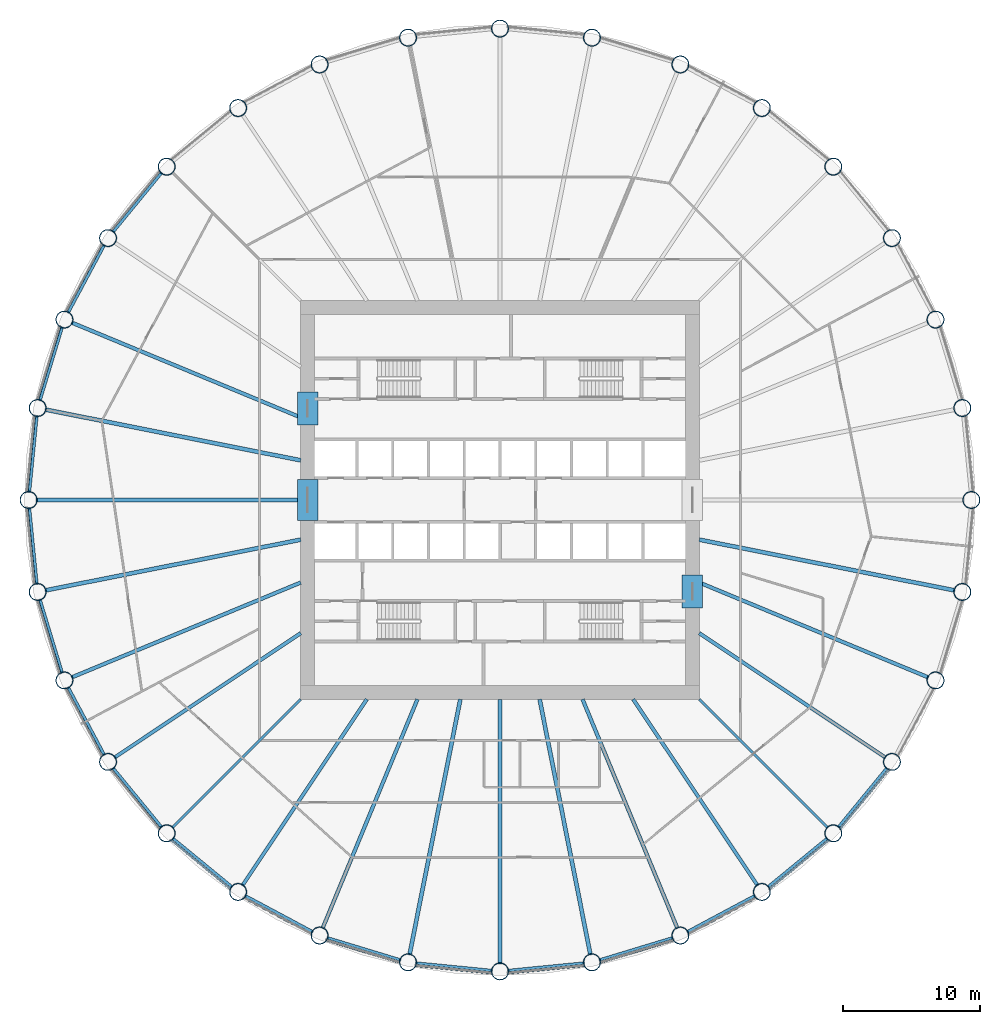
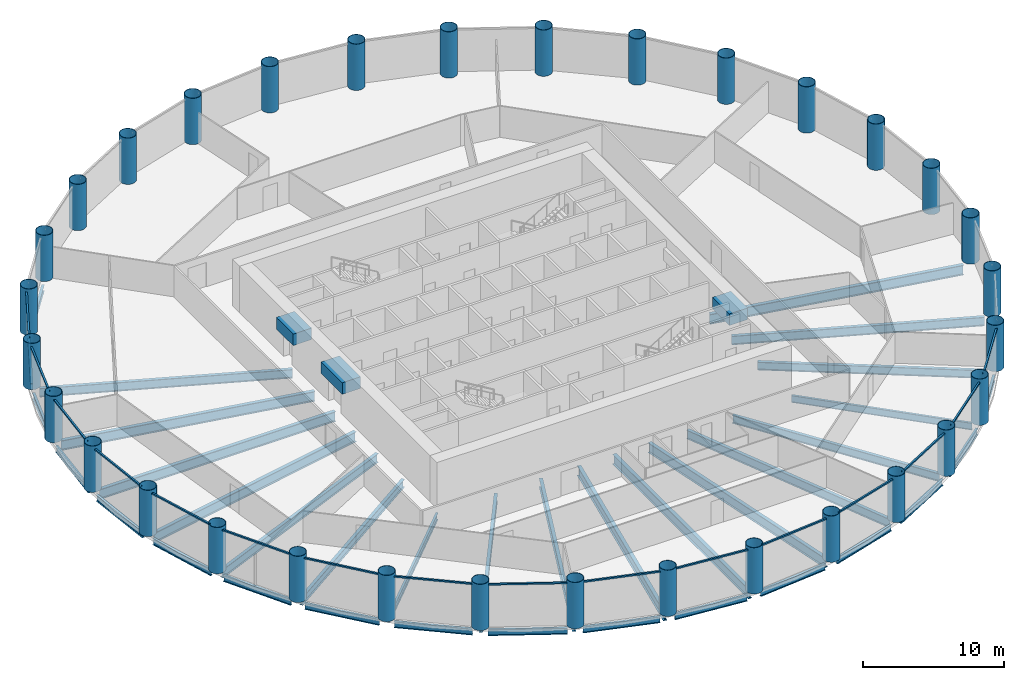
# One storey, part 1 of 8: 38 beams, 32 columns, 16 members, 16 elements without a shape of their own.
"""IFC4 building model written with IfcOpenShell, lengths in metres."""

from ifc_helpers import new_model, si_unit, direction, frame, origin, origin_2d, place, context, subcontext, project, spatial, rectangle, hollow_circle, i_section, extrude, material, material_profile, profile_set, type_object, element, aggregate, save


model = new_model("IFC4")

# Units and contexts
model_context = context("Model", 3, precision=1e-05, world=origin(), true_north=direction((0.0, 1.0)))
body_context = subcontext(model_context, "Body", "Model", "MODEL_VIEW")
ifc_project = project(units=[si_unit("LENGTHUNIT", "METRE"), si_unit("AREAUNIT", "SQUARE_METRE"), si_unit("VOLUMEUNIT", "CUBIC_METRE"), si_unit("PLANEANGLEUNIT", "RADIAN"), si_unit("MASSUNIT", "GRAM", prefix="KILO")], contexts=[model_context])

# Site, building, storey
site_placement = place(None, origin())
site = spatial("IfcSite", under=ifc_project, at=site_placement, CompositionType="ELEMENT")
building_placement = place(site_placement, origin())
building = spatial("IfcBuilding", under=site, at=building_placement, Name="Corvane Civic Tower", CompositionType="ELEMENT")
storey_placement = place(building_placement, frame((0.0, 0.0, 110.5)))
storey = spatial("IfcBuildingStorey", under=building, at=storey_placement, Name="L25", CompositionType="ELEMENT", Elevation=110.5)

# Columns
ifc_material_1 = material(Name="Steel ASTM A572 Gr 50", Category="steel")
ifc_material_profile_1 = material_profile(ifc_material_1, hollow_circle(Radius=0.625, WallThickness=0.035888671875, at=origin_2d()), Name="CHS1250X36")
ifc_profile_set_1 = profile_set([ifc_material_profile_1], Name="Steel ASTM A572 Gr 50")
column_type = type_object("IfcColumnType", Name="COMPOSITE COLUMN CHS1250X36", PredefinedType="COLUMN", material=ifc_profile_set_1)
for number, where, z_axis, x_axis, name in (
    (1, (0.0, 34.300048828125, 0.0), (0.0, 0.0, 1.0), (1.0, 0.0, 0.0), "COL-L25-B01"),
    (2, (6.691650390625, 33.640869140625, 0.0), (0.0, 0.0, 1.0), (1.0, 0.0, 0.0), "COL-L25-B02"),
    (3, (13.1259765625, 31.68896484375, 0.0), (0.0, 0.0, 1.0), (1.0, 0.0, 0.0), "COL-L25-B03"),
    (4, (19.05615234375, 28.519287109375, 0.0), (0.0, 0.0, 1.0), (1.0, 0.0, 0.0), "COL-L25-B04"),
    (5, (24.253662109375, 24.253662109375, 0.0), (0.0, 0.0, 1.0), (1.0, 0.0, 0.0), "COL-L25-B05"),
    (6, (28.519287109375, 19.05615234375, 0.0), (0.0, 0.0, 1.0), (1.0, 0.0, 0.0), "COL-L25-B06"),
    (7, (31.68896484375, 13.1259765625, 0.0), (0.0, 0.0, 1.0), (1.0, 0.0, 0.0), "COL-L25-B07"),
    (8, (33.640869140625, 6.691650390625, 0.0), (0.0, 0.0, 1.0), (1.0, 0.0, 0.0), "COL-L25-B08"),
    (9, (34.300048828125, 0.0, 0.0), (0.0, 0.0, 1.0), (1.0, 0.0, 0.0), "COL-L25-B09"),
    (10, (33.640869140625, -6.691650390625, 0.0), (0.0, 0.0, 1.0), (1.0, 0.0, 0.0), "COL-L25-B10"),
    (11, (31.68896484375, -13.1259765625, 0.0), (0.0, 0.0, 1.0), (1.0, 0.0, 0.0), "COL-L25-B11"),
    (12, (28.519287109375, -19.05615234375, 0.0), (0.0, 0.0, 1.0), (1.0, 0.0, 0.0), "COL-L25-B12"),
    (13, (24.253662109375, -24.253662109375, 0.0), (0.0, 0.0, 1.0), (1.0, 0.0, 0.0), "COL-L25-B13"),
    (14, (19.05615234375, -28.519287109375, 0.0), (0.0, 0.0, 1.0), (1.0, 0.0, 0.0), "COL-L25-B14"),
    (15, (13.1259765625, -31.68896484375, 0.0), (0.0, 0.0, 1.0), (1.0, 0.0, 0.0), "COL-L25-B15"),
    (16, (6.691650390625, -33.640869140625, 0.0), (0.0, 0.0, 1.0), (1.0, 0.0, 0.0), "COL-L25-B16"),
    (17, (0.0, -34.300048828125, 0.0), (0.0, 0.0, 1.0), (1.0, 0.0, 0.0), "COL-L25-B17"),
    (18, (-6.691650390625, -33.640869140625, 0.0), (0.0, 0.0, 1.0), (1.0, 0.0, 0.0), "COL-L25-B18"),
    (19, (-13.1259765625, -31.68896484375, 0.0), (0.0, 0.0, 1.0), (1.0, 0.0, 0.0), "COL-L25-B19"),
    (20, (-19.05615234375, -28.519287109375, 0.0), (0.0, 0.0, 1.0), (1.0, 0.0, 0.0), "COL-L25-B20"),
    (21, (-24.253662109375, -24.253662109375, 0.0), (0.0, 0.0, 1.0), (1.0, 0.0, 0.0), "COL-L25-B21"),
    (22, (-28.519287109375, -19.05615234375, 0.0), (0.0, 0.0, 1.0), (1.0, 0.0, 0.0), "COL-L25-B22"),
    (23, (-31.68896484375, -13.1259765625, 0.0), (0.0, 0.0, 1.0), (1.0, 0.0, 0.0), "COL-L25-B23"),
    (24, (-33.640869140625, -6.691650390625, 0.0), (0.0, 0.0, 1.0), (1.0, 0.0, 0.0), "COL-L25-B24"),
    (25, (-34.300048828125, 0.0, 0.0), (0.0, 0.0, 1.0), (1.0, 0.0, 0.0), "COL-L25-B25"),
    (26, (-33.640869140625, 6.691650390625, 0.0), (0.0, 0.0, 1.0), (1.0, 0.0, 0.0), "COL-L25-B26"),
    (27, (-31.68896484375, 13.1259765625, 0.0), (0.0, 0.0, 1.0), (1.0, 0.0, 0.0), "COL-L25-B27"),
    (28, (-28.519287109375, 19.05615234375, 0.0), (0.0, 0.0, 1.0), (1.0, 0.0, 0.0), "COL-L25-B28"),
    (29, (-24.253662109375, 24.253662109375, 0.0), (0.0, 0.0, 1.0), (1.0, 0.0, 0.0), "COL-L25-B29"),
    (30, (-19.05615234375, 28.519287109375, 0.0), (0.0, 0.0, 1.0), (1.0, 0.0, 0.0), "COL-L25-B30"),
    (31, (-13.1259765625, 31.68896484375, 0.0), (0.0, 0.0, 1.0), (1.0, 0.0, 0.0), "COL-L25-B31"),
    (32, (-6.691650390625, 33.640869140625, 0.0), (0.0, 0.0, 1.0), (1.0, 0.0, 0.0), "COL-L25-B32"),
):
    element("IfcColumn", number, at=place(storey_placement, frame(where, z_axis=z_axis, x_axis=x_axis)), inside=storey, type_object=column_type, Name=name, PredefinedType="COLUMN", context=body_context, shape_type="SweptSolid", body=[
        extrude(hollow_circle(Radius=0.625, WallThickness=0.035888671875, at=origin_2d()), origin(), (0.0, 0.0, 1.0), 4.0),
    ])

# Beams
ifc_material_2 = material(Name="Concrete C70/85", Category="concrete")
ifc_material_profile_2 = material_profile(ifc_material_2, rectangle(XDim=1.5, YDim=1.0, at=origin_2d()), Name="COUPLING BEAM 1500X1000")
ifc_profile_set_2 = profile_set([ifc_material_profile_2], Name="Concrete C70/85")
beam_type_1 = type_object("IfcBeamType", Name="COUPLING BEAM COUPLING BEAM 1500X1000", PredefinedType="BEAM", material=ifc_profile_set_2)
beam_1_placement = place(storey_placement, frame((-14.0, -1.5, 2.60009765625), z_axis=(0.0, 1.0, 0.0), x_axis=(-1.0, 0.0, 0.0)))
element("IfcBeam", 33, at=beam_1_placement, inside=storey, type_object=beam_type_1, Name="BM-L25-cpl-CW-LW", PredefinedType="BEAM", context=body_context, shape_type="SweptSolid", body=[
    extrude(rectangle(XDim=1.5, YDim=1.0, at=origin_2d()), origin(), (0.0, 0.0, 1.0), 3.0),
])
for number, where, z_axis, x_axis, name in (
    (34, (-14.0, 5.449951171875, 2.60009765625), (0.0, 1.0, 0.0), (-1.0, 0.0, 0.0), "BM-L25-cpl-CW-WN"),
    (35, (14.0, -7.85009765625, 2.60009765625), (0.0, 1.0, 0.0), (-1.0, 0.0, 0.0), "BM-L25-cpl-CW-ES"),
):
    element("IfcBeam", number, at=place(storey_placement, frame(where, z_axis=z_axis, x_axis=x_axis)), inside=storey, type_object=beam_type_1, Name=name, PredefinedType="BEAM", context=body_context, shape_type="SweptSolid", body=[
        extrude(rectangle(XDim=1.5, YDim=1.0, at=origin_2d()), origin(), (0.0, 0.0, 1.0), 2.400146484375),
    ])
ifc_material_3 = material(Name="Steel ASTM A992 Gr 50", Category="steel")
ifc_material_profile_3 = material_profile(ifc_material_3, i_section(OverallWidth=0.209228515625, OverallDepth=0.533447265625, WebThickness=0.01025390625, FlangeThickness=0.015625, at=origin_2d()), Name="W21X62")
ifc_profile_set_3 = profile_set([ifc_material_profile_3], Name="Steel ASTM A992 Gr 50")
beam_type_2 = type_object("IfcBeamType", Name="EDGE BEAM W21X62", PredefinedType="BEAM", material=ifc_profile_set_3)
for number, where, z_axis, x_axis, name in (
    (36, (28.17041015625, -19.481201171875, -0.566650390625), (-0.634397765782, -0.773006775372, 0.0), (0.773006775372, -0.634397765782, 0.0), "BM-L25-E12"),
    (37, (23.82861328125, -24.6025390625, -0.566650390625), (-0.773006775372, -0.634397765782, 0.0), (0.634397765782, -0.773006775372, 0.0), "BM-L25-E13"),
    (38, (18.571044921875, -28.778564453125, -0.566650390625), (-0.88192357867, -0.471392407008, 0.0), (0.471392407008, -0.88192357867, 0.0), "BM-L25-E14"),
):
    element("IfcBeam", number, at=place(storey_placement, frame(where, z_axis=z_axis, x_axis=x_axis)), inside=storey, type_object=beam_type_2, Name=name, PredefinedType="BEAM", context=body_context, shape_type="SweptSolid", body=[
        extrude(i_section(OverallWidth=0.209228515625, OverallDepth=0.533447265625, WebThickness=0.01025390625, FlangeThickness=0.015625, at=origin_2d()), origin(), (0.0, 0.0, 1.0), 5.6240234375),
    ])
beam_2_placement = place(storey_placement, frame((12.599609375, -31.8486328125, -0.566650390625), z_axis=(-0.956936367498, -0.290297758448, 0.0), x_axis=(0.290297758448, -0.956936367498, 0.0)))
element("IfcBeam", 39, at=beam_2_placement, inside=storey, type_object=beam_type_2, Name="BM-L25-E15", PredefinedType="BEAM", context=body_context, shape_type="SweptSolid", body=[
    extrude(i_section(OverallWidth=0.209228515625, OverallDepth=0.533447265625, WebThickness=0.01025390625, FlangeThickness=0.015625, at=origin_2d()), origin(), (0.0, 0.0, 1.0), 5.623779296875),
])
for number, where, z_axis, x_axis, name in (
    (40, (6.144287109375, -33.69482421875, -0.566650390625), (-0.995184368522, -0.098020776625, 0.0), (0.098020776625, -0.995184368522, 0.0), "BM-L25-E16"),
    (41, (-0.54736328125, -34.24609375, -0.566650390625), (-0.995184368522, 0.098020776625, 0.0), (-0.098020776625, -0.995184368522, 0.0), "BM-L25-E17"),
):
    element("IfcBeam", number, at=place(storey_placement, frame(where, z_axis=z_axis, x_axis=x_axis)), inside=storey, type_object=beam_type_2, Name=name, PredefinedType="BEAM", context=body_context, shape_type="SweptSolid", body=[
        extrude(i_section(OverallWidth=0.209228515625, OverallDepth=0.533447265625, WebThickness=0.01025390625, FlangeThickness=0.015625, at=origin_2d()), origin(), (0.0, 0.0, 1.0), 5.6240234375),
    ])
beam_3_placement = place(storey_placement, frame((-7.218017578125, -33.481201171875, -0.566650390625), z_axis=(-0.956936367498, 0.290297758448, 0.0), x_axis=(-0.290297758448, -0.956936367498, 0.0)))
element("IfcBeam", 42, at=beam_3_placement, inside=storey, type_object=beam_type_2, Name="BM-L25-E18", PredefinedType="BEAM", context=body_context, shape_type="SweptSolid", body=[
    extrude(i_section(OverallWidth=0.209228515625, OverallDepth=0.533447265625, WebThickness=0.01025390625, FlangeThickness=0.015625, at=origin_2d()), origin(), (0.0, 0.0, 1.0), 5.623779296875),
])
for number, where, z_axis, x_axis, name in (
    (43, (-13.611083984375, -31.4296875, -0.566650390625), (-0.88192357867, 0.471392407008, 0.0), (-0.471392407008, -0.88192357867, 0.0), "BM-L25-E19"),
    (44, (-19.481201171875, -28.17041015625, -0.566650390625), (-0.773006775372, 0.634397765782, 0.0), (-0.634397765782, -0.773006775372, 0.0), "BM-L25-E20"),
    (45, (-24.6025390625, -23.82861328125, -0.566650390625), (-0.634397765782, 0.773006775372, 0.0), (-0.773006775372, -0.634397765782, 0.0), "BM-L25-E21"),
    (46, (-28.778564453125, -18.571044921875, -0.566650390625), (-0.471392407008, 0.88192357867, 0.0), (-0.88192357867, -0.471392407008, 0.0), "BM-L25-E22"),
):
    element("IfcBeam", number, at=place(storey_placement, frame(where, z_axis=z_axis, x_axis=x_axis)), inside=storey, type_object=beam_type_2, Name=name, PredefinedType="BEAM", context=body_context, shape_type="SweptSolid", body=[
        extrude(i_section(OverallWidth=0.209228515625, OverallDepth=0.533447265625, WebThickness=0.01025390625, FlangeThickness=0.015625, at=origin_2d()), origin(), (0.0, 0.0, 1.0), 5.6240234375),
    ])
beam_4_placement = place(storey_placement, frame((-31.8486328125, -12.599609375, -0.566650390625), z_axis=(-0.290297758448, 0.956936367498, 0.0), x_axis=(-0.956936367498, -0.290297758448, 0.0)))
element("IfcBeam", 47, at=beam_4_placement, inside=storey, type_object=beam_type_2, Name="BM-L25-E23", PredefinedType="BEAM", context=body_context, shape_type="SweptSolid", body=[
    extrude(i_section(OverallWidth=0.209228515625, OverallDepth=0.533447265625, WebThickness=0.01025390625, FlangeThickness=0.015625, at=origin_2d()), origin(), (0.0, 0.0, 1.0), 5.623779296875),
])
for number, where, z_axis, x_axis, name in (
    (48, (-33.69482421875, -6.144287109375, -0.566650390625), (-0.098020776625, 0.995184368522, 0.0), (-0.995184368522, -0.098020776625, 0.0), "BM-L25-E24"),
    (49, (-34.24609375, 0.54736328125, -0.566650390625), (0.098020776625, 0.995184368522, 0.0), (-0.995184368522, 0.098020776625, 0.0), "BM-L25-E25"),
):
    element("IfcBeam", number, at=place(storey_placement, frame(where, z_axis=z_axis, x_axis=x_axis)), inside=storey, type_object=beam_type_2, Name=name, PredefinedType="BEAM", context=body_context, shape_type="SweptSolid", body=[
        extrude(i_section(OverallWidth=0.209228515625, OverallDepth=0.533447265625, WebThickness=0.01025390625, FlangeThickness=0.015625, at=origin_2d()), origin(), (0.0, 0.0, 1.0), 5.6240234375),
    ])
beam_5_placement = place(storey_placement, frame((-33.481201171875, 7.218017578125, -0.566650390625), z_axis=(0.290297758448, 0.956936367498, 0.0), x_axis=(-0.956936367498, 0.290297758448, 0.0)))
element("IfcBeam", 50, at=beam_5_placement, inside=storey, type_object=beam_type_2, Name="BM-L25-E26", PredefinedType="BEAM", context=body_context, shape_type="SweptSolid", body=[
    extrude(i_section(OverallWidth=0.209228515625, OverallDepth=0.533447265625, WebThickness=0.01025390625, FlangeThickness=0.015625, at=origin_2d()), origin(), (0.0, 0.0, 1.0), 5.623779296875),
])
for number, where, z_axis, x_axis, name in (
    (51, (-31.4296875, 13.611083984375, -0.566650390625), (0.471392407008, 0.88192357867, 0.0), (-0.88192357867, 0.471392407008, 0.0), "BM-L25-E27"),
    (52, (-28.17041015625, 19.481201171875, -0.566650390625), (0.634397765782, 0.773006775372, 0.0), (-0.773006775372, 0.634397765782, 0.0), "BM-L25-E28"),
):
    element("IfcBeam", number, at=place(storey_placement, frame(where, z_axis=z_axis, x_axis=x_axis)), inside=storey, type_object=beam_type_2, Name=name, PredefinedType="BEAM", context=body_context, shape_type="SweptSolid", body=[
        extrude(i_section(OverallWidth=0.209228515625, OverallDepth=0.533447265625, WebThickness=0.01025390625, FlangeThickness=0.015625, at=origin_2d()), origin(), (0.0, 0.0, 1.0), 5.6240234375),
    ])
ifc_material_4 = material(Name="Steel ASTM A992 Gr 50", Category="steel")
ifc_material_profile_4 = material_profile(ifc_material_4, i_section(OverallWidth=0.177978515625, OverallDepth=0.599365234375, WebThickness=0.010009765625, FlangeThickness=0.012939453125, at=origin_2d()), Name="W24X55")
ifc_profile_set_4 = profile_set([ifc_material_profile_4], Name="Steel ASTM A992 Gr 50")
beam_type_3 = type_object("IfcBeamType", Name="FLOOR GIRDER W24X55", PredefinedType="BEAM", material=ifc_profile_set_4)
for number, where, z_axis, x_axis, name in (
    (53, (14.5, -14.5, -0.599609375), (0.707106781187, -0.707106781187, 0.0), (0.707106781187, 0.707106781187, 0.0), "BM-L25-G13"),
    (54, (-14.5, -14.5, -0.599609375), (-0.707106781187, -0.707106781187, 0.0), (0.707106781187, -0.707106781187, 0.0), "BM-L25-G21"),
):
    element("IfcBeam", number, at=place(storey_placement, frame(where, z_axis=z_axis, x_axis=x_axis)), inside=storey, type_object=beam_type_3, Name=name, PredefinedType="BEAM", context=body_context, shape_type="SweptSolid", body=[
        extrude(i_section(OverallWidth=0.177978515625, OverallDepth=0.599365234375, WebThickness=0.010009765625, FlangeThickness=0.012939453125, at=origin_2d()), origin(), (0.0, 0.0, 1.0), 13.24365234375),
    ])
ifc_material_5 = material(Name="Steel ASTM A992 Gr 50", Category="steel")
ifc_material_profile_5 = material_profile(ifc_material_5, i_section(OverallWidth=0.256591796875, OverallDepth=0.693359375, WebThickness=0.014404296875, FlangeThickness=0.023681640625, at=origin_2d()), Name="W27X114")
ifc_profile_set_5 = profile_set([ifc_material_profile_5], Name="Steel ASTM A992 Gr 50")
beam_type_4 = type_object("IfcBeamType", Name="FLOOR GIRDER W27X114", PredefinedType="BEAM", material=ifc_profile_set_5)
for number, where, z_axis, x_axis, name in (
    (55, (14.5, -9.6884765625, -0.646728515625), (0.83146493365, -0.555577235054, 0.0), (0.555577235054, 0.83146493365, 0.0), "BM-L25-G12"),
    (56, (9.6884765625, -14.5, -0.646728515625), (0.555577235054, -0.83146493365, 0.0), (0.83146493365, 0.555577235054, 0.0), "BM-L25-G14"),
    (57, (-9.6884765625, -14.5, -0.646728515625), (-0.555577235054, -0.83146493365, 0.0), (0.83146493365, -0.555577235054, 0.0), "BM-L25-G20"),
    (58, (-14.5, -9.6884765625, -0.646728515625), (-0.83146493365, -0.555577235054, 0.0), (0.555577235054, -0.83146493365, 0.0), "BM-L25-G22"),
):
    element("IfcBeam", number, at=place(storey_placement, frame(where, z_axis=z_axis, x_axis=x_axis)), inside=storey, type_object=beam_type_4, Name=name, PredefinedType="BEAM", context=body_context, shape_type="SweptSolid", body=[
        extrude(i_section(OverallWidth=0.256591796875, OverallDepth=0.693359375, WebThickness=0.014404296875, FlangeThickness=0.023681640625, at=origin_2d()), origin(), (0.0, 0.0, 1.0), 16.31103515625),
    ])
ifc_material_6 = material(Name="Steel ASTM A992 Gr 50", Category="steel")
ifc_material_profile_6 = material_profile(ifc_material_6, i_section(OverallWidth=0.2666015625, OverallDepth=0.7568359375, WebThickness=0.013916015625, FlangeThickness=0.019287109375, at=origin_2d()), Name="W30X108")
ifc_profile_set_6 = profile_set([ifc_material_profile_6], Name="Steel ASTM A992 Gr 50")
beam_type_5 = type_object("IfcBeamType", Name="FLOOR GIRDER W30X108", PredefinedType="BEAM", material=ifc_profile_set_6)
for number, where, z_axis, x_axis, name in (
    (59, (14.5, -6.006103515625, -0.678466796875), (0.923880209691, -0.382681797504, 0.0), (0.382681797504, 0.923880209691, 0.0), "BM-L25-G11"),
    (60, (6.006103515625, -14.5, -0.678466796875), (0.382681797504, -0.923880209691, 0.0), (0.923880209691, 0.382681797504, 0.0), "BM-L25-G15"),
    (61, (-6.006103515625, -14.5, -0.678466796875), (-0.382681797504, -0.923880209691, 0.0), (0.923880209691, -0.382681797504, 0.0), "BM-L25-G19"),
    (62, (-14.5, -6.006103515625, -0.678466796875), (-0.923880209691, -0.382681797504, 0.0), (0.382681797504, -0.923880209691, 0.0), "BM-L25-G23"),
    (63, (-14.5, 6.006103515625, -0.678466796875), (-0.923880209691, 0.382681797504, 0.0), (-0.382681797504, -0.923880209691, 0.0), "BM-L25-G27"),
):
    element("IfcBeam", number, at=place(storey_placement, frame(where, z_axis=z_axis, x_axis=x_axis)), inside=storey, type_object=beam_type_5, Name=name, PredefinedType="BEAM", context=body_context, shape_type="SweptSolid", body=[
        extrude(i_section(OverallWidth=0.2666015625, OverallDepth=0.7568359375, WebThickness=0.013916015625, FlangeThickness=0.019287109375, at=origin_2d()), origin(), (0.0, 0.0, 1.0), 18.05517578125),
    ])
ifc_material_7 = material(Name="Steel ASTM A992 Gr 50", Category="steel")
ifc_material_profile_7 = material_profile(ifc_material_7, i_section(OverallWidth=0.2919921875, OverallDepth=0.8583984375, WebThickness=0.01708984375, FlangeThickness=0.031005859375, at=origin_2d()), Name="W33X169")
ifc_profile_set_7 = profile_set([ifc_material_profile_7], Name="Steel ASTM A992 Gr 50")
beam_type_6 = type_object("IfcBeamType", Name="FLOOR GIRDER W33X169", PredefinedType="BEAM", material=ifc_profile_set_7)
for number, where, z_axis, x_axis, name in (
    (64, (14.5, -2.88427734375, -0.729248046875), (0.9807865885, -0.195083745652, 0.0), (0.195083745652, 0.9807865885, 0.0), "BM-L25-G10"),
    (65, (2.88427734375, -14.5, -0.729248046875), (0.195083745652, -0.9807865885, 0.0), (0.9807865885, 0.195083745652, 0.0), "BM-L25-G16"),
):
    element("IfcBeam", number, at=place(storey_placement, frame(where, z_axis=z_axis, x_axis=x_axis)), inside=storey, type_object=beam_type_6, Name=name, PredefinedType="BEAM", context=body_context, shape_type="SweptSolid", body=[
        extrude(i_section(OverallWidth=0.2919921875, OverallDepth=0.8583984375, WebThickness=0.01708984375, FlangeThickness=0.031005859375, at=origin_2d()), origin(), (0.0, 0.0, 1.0), 18.966064453125),
    ])
beam_6_placement = place(storey_placement, frame((0.0, -14.5, -0.729248046875), z_axis=(0.0, -1.0, 0.0), x_axis=(1.0, 0.0, 0.0)))
element("IfcBeam", 66, at=beam_6_placement, inside=storey, type_object=beam_type_6, Name="BM-L25-G17", PredefinedType="BEAM", context=body_context, shape_type="SweptSolid", body=[
    extrude(i_section(OverallWidth=0.2919921875, OverallDepth=0.8583984375, WebThickness=0.01708984375, FlangeThickness=0.031005859375, at=origin_2d()), origin(), (0.0, 0.0, 1.0), 19.25),
])
for number, where, z_axis, x_axis, name in (
    (67, (-2.88427734375, -14.5, -0.729248046875), (-0.195083745652, -0.9807865885, 0.0), (0.9807865885, -0.195083745652, 0.0), "BM-L25-G18"),
    (68, (-14.5, -2.88427734375, -0.729248046875), (-0.9807865885, -0.195083745652, 0.0), (0.195083745652, -0.9807865885, 0.0), "BM-L25-G24"),
):
    element("IfcBeam", number, at=place(storey_placement, frame(where, z_axis=z_axis, x_axis=x_axis)), inside=storey, type_object=beam_type_6, Name=name, PredefinedType="BEAM", context=body_context, shape_type="SweptSolid", body=[
        extrude(i_section(OverallWidth=0.2919921875, OverallDepth=0.8583984375, WebThickness=0.01708984375, FlangeThickness=0.031005859375, at=origin_2d()), origin(), (0.0, 0.0, 1.0), 18.966064453125),
    ])
beam_7_placement = place(storey_placement, frame((-14.5, 0.0, -0.729248046875), z_axis=(-1.0, 0.0, 0.0), x_axis=(0.0, -1.0, 0.0)))
element("IfcBeam", 69, at=beam_7_placement, inside=storey, type_object=beam_type_6, Name="BM-L25-G25", PredefinedType="BEAM", context=body_context, shape_type="SweptSolid", body=[
    extrude(i_section(OverallWidth=0.2919921875, OverallDepth=0.8583984375, WebThickness=0.01708984375, FlangeThickness=0.031005859375, at=origin_2d()), origin(), (0.0, 0.0, 1.0), 19.25),
])
beam_8_placement = place(storey_placement, frame((-14.5, 2.88427734375, -0.729248046875), z_axis=(-0.9807865885, 0.195083745652, 0.0), x_axis=(-0.195083745652, -0.9807865885, 0.0)))
element("IfcBeam", 70, at=beam_8_placement, inside=storey, type_object=beam_type_6, Name="BM-L25-G26", PredefinedType="BEAM", context=body_context, shape_type="SweptSolid", body=[
    extrude(i_section(OverallWidth=0.2919921875, OverallDepth=0.8583984375, WebThickness=0.01708984375, FlangeThickness=0.031005859375, at=origin_2d()), origin(), (0.0, 0.0, 1.0), 18.966064453125),
])

# Curtain wall, member
ifc_material_8 = material(Name="Anodised aluminium bronze", Category="aluminium")
curtain_wall_type = type_object("IfcCurtainWallType", Name="TOWER CW-T1 STICK CURTAIN WALL", PredefinedType="NOTDEFINED", material=ifc_material_8)
curtain_wall_1_placement = place(storey_placement, origin())
curtain_wall_1 = element("IfcCurtainWall", 71, at=curtain_wall_1_placement, inside=storey, type_object=curtain_wall_type, Name="Curtain wall CW-T1 L25 bay 12", PredefinedType="NOTDEFINED")
ifc_material_9 = material(Name="Anodised aluminium bronze", Category="aluminium")
ifc_material_profile_8 = material_profile(ifc_material_9, rectangle(XDim=0.139892578125, YDim=0.1201171875, at=origin_2d()), Name="TOWER CW-T1 TRANSOM 140x120")
ifc_profile_set_8 = profile_set([ifc_material_profile_8], Name="Anodised aluminium bronze")
member_type = type_object("IfcMemberType", Name="TOWER CW-T1 TRANSOM 140x120", PredefinedType="USERDEFINED", material=ifc_profile_set_8)
member_1_placement = place(storey_placement, frame((28.297119140625, -19.609619140625, 3.68994140625), z_axis=(-0.634410369295, -0.772996431642, 0.0), x_axis=(0.772996431642, -0.634410369295, 0.0)))
member_1 = element("IfcMember", 72, at=member_1_placement, type_object=member_type, Name="Transom CW-T1 L25 12.1", ObjectType="TRANSOM", PredefinedType="USERDEFINED", context=body_context, shape_type="SweptSolid", body=[
    extrude(rectangle(XDim=0.139892578125, YDim=0.1201171875, at=origin_2d()), origin(), (0.0, 0.0, 1.0), 5.586181640625),
])
aggregate(curtain_wall_1, [member_1])

curtain_wall_2_placement = place(storey_placement, origin())
curtain_wall_2 = element("IfcCurtainWall", 73, at=curtain_wall_2_placement, inside=storey, type_object=curtain_wall_type, Name="Curtain wall CW-T1 L25 bay 13", PredefinedType="NOTDEFINED")
member_2_placement = place(storey_placement, frame((23.927734375, -24.753173828125, 3.68994140625), z_axis=(-0.772996431642, -0.634410369295, 0.0), x_axis=(0.634410369295, -0.772996431642, 0.0)))
member_2 = element("IfcMember", 74, at=member_2_placement, type_object=member_type, Name="Transom CW-T1 L25 13.1", ObjectType="TRANSOM", PredefinedType="USERDEFINED", context=body_context, shape_type="SweptSolid", body=[
    extrude(rectangle(XDim=0.139892578125, YDim=0.1201171875, at=origin_2d()), origin(), (0.0, 0.0, 1.0), 5.586181640625),
])
aggregate(curtain_wall_2, [member_2])

curtain_wall_3_placement = place(storey_placement, origin())
curtain_wall_3 = element("IfcCurtainWall", 75, at=curtain_wall_3_placement, inside=storey, type_object=curtain_wall_type, Name="Curtain wall CW-T1 L25 bay 14", PredefinedType="NOTDEFINED")
member_3_placement = place(storey_placement, frame((18.63916015625, -28.945556640625, 3.68994140625), z_axis=(-0.881920705407, -0.47139778253, 0.0), x_axis=(0.47139778253, -0.881920705407, 0.0)))
member_3 = element("IfcMember", 76, at=member_3_placement, type_object=member_type, Name="Transom CW-T1 L25 14.1", ObjectType="TRANSOM", PredefinedType="USERDEFINED", context=body_context, shape_type="SweptSolid", body=[
    extrude(rectangle(XDim=0.139892578125, YDim=0.1201171875, at=origin_2d()), origin(), (0.0, 0.0, 1.0), 5.586669921875),
])
aggregate(curtain_wall_3, [member_3])

curtain_wall_4_placement = place(storey_placement, origin())
curtain_wall_4 = element("IfcCurtainWall", 77, at=curtain_wall_4_placement, inside=storey, type_object=curtain_wall_type, Name="Curtain wall CW-T1 L25 bay 15", PredefinedType="NOTDEFINED")
member_4_placement = place(storey_placement, frame((12.6337890625, -32.025634765625, 3.68994140625), z_axis=(-0.956944977029, -0.290269376509, 0.0), x_axis=(0.290269376509, -0.956944977029, 0.0)))
member_4 = element("IfcMember", 78, at=member_4_placement, type_object=member_type, Name="Transom CW-T1 L25 15.1", ObjectType="TRANSOM", PredefinedType="USERDEFINED", context=body_context, shape_type="SweptSolid", body=[
    extrude(rectangle(XDim=0.139892578125, YDim=0.1201171875, at=origin_2d()), origin(), (0.0, 0.0, 1.0), 5.58642578125),
])
aggregate(curtain_wall_4, [member_4])

curtain_wall_5_placement = place(storey_placement, origin())
curtain_wall_5 = element("IfcCurtainWall", 79, at=curtain_wall_5_placement, inside=storey, type_object=curtain_wall_type, Name="Curtain wall CW-T1 L25 bay 16", PredefinedType="NOTDEFINED")
member_5_placement = place(storey_placement, frame((6.14306640625, -33.874755859375, 3.68994140625), z_axis=(-0.995179807033, -0.098067077419, 0.0), x_axis=(0.098067077419, -0.995179807033, 0.0)))
member_5 = element("IfcMember", 80, at=member_5_placement, type_object=member_type, Name="Transom CW-T1 L25 16.1", ObjectType="TRANSOM", PredefinedType="USERDEFINED", context=body_context, shape_type="SweptSolid", body=[
    extrude(rectangle(XDim=0.139892578125, YDim=0.1201171875, at=origin_2d()), origin(), (0.0, 0.0, 1.0), 5.58642578125),
])
aggregate(curtain_wall_5, [member_5])

curtain_wall_6_placement = place(storey_placement, origin())
curtain_wall_6 = element("IfcCurtainWall", 81, at=curtain_wall_6_placement, inside=storey, type_object=curtain_wall_type, Name="Curtain wall CW-T1 L25 bay 17", PredefinedType="NOTDEFINED")
member_6_placement = place(storey_placement, frame((-0.58349609375, -34.422607421875, 3.68994140625), z_axis=(-0.995179807033, 0.098067077419, 0.0), x_axis=(-0.098067077419, -0.995179807033, 0.0)))
member_6 = element("IfcMember", 82, at=member_6_placement, type_object=member_type, Name="Transom CW-T1 L25 17.1", ObjectType="TRANSOM", PredefinedType="USERDEFINED", context=body_context, shape_type="SweptSolid", body=[
    extrude(rectangle(XDim=0.139892578125, YDim=0.1201171875, at=origin_2d()), origin(), (0.0, 0.0, 1.0), 5.58642578125),
])
aggregate(curtain_wall_6, [member_6])

curtain_wall_7_placement = place(storey_placement, origin())
curtain_wall_7 = element("IfcCurtainWall", 83, at=curtain_wall_7_placement, inside=storey, type_object=curtain_wall_type, Name="Curtain wall CW-T1 L25 bay 18", PredefinedType="NOTDEFINED")
member_7_placement = place(storey_placement, frame((-7.287841796875, -33.647216796875, 3.68994140625), z_axis=(-0.956944977029, 0.290269376509, 0.0), x_axis=(-0.290269376509, -0.956944977029, 0.0)))
member_7 = element("IfcMember", 84, at=member_7_placement, type_object=member_type, Name="Transom CW-T1 L25 18.1", ObjectType="TRANSOM", PredefinedType="USERDEFINED", context=body_context, shape_type="SweptSolid", body=[
    extrude(rectangle(XDim=0.139892578125, YDim=0.1201171875, at=origin_2d()), origin(), (0.0, 0.0, 1.0), 5.58642578125),
])
aggregate(curtain_wall_7, [member_7])

curtain_wall_8_placement = place(storey_placement, origin())
curtain_wall_8 = element("IfcCurtainWall", 85, at=curtain_wall_8_placement, inside=storey, type_object=curtain_wall_type, Name="Curtain wall CW-T1 L25 bay 19", PredefinedType="NOTDEFINED")
member_8_placement = place(storey_placement, frame((-13.712158203125, -31.5791015625, 3.68994140625), z_axis=(-0.881920705407, 0.47139778253, 0.0), x_axis=(-0.47139778253, -0.881920705407, 0.0)))
member_8 = element("IfcMember", 86, at=member_8_placement, type_object=member_type, Name="Transom CW-T1 L25 19.1", ObjectType="TRANSOM", PredefinedType="USERDEFINED", context=body_context, shape_type="SweptSolid", body=[
    extrude(rectangle(XDim=0.139892578125, YDim=0.1201171875, at=origin_2d()), origin(), (0.0, 0.0, 1.0), 5.586669921875),
])
aggregate(curtain_wall_8, [member_8])

curtain_wall_9_placement = place(storey_placement, origin())
curtain_wall_9 = element("IfcCurtainWall", 87, at=curtain_wall_9_placement, inside=storey, type_object=curtain_wall_type, Name="Curtain wall CW-T1 L25 bay 20", PredefinedType="NOTDEFINED")
member_9_placement = place(storey_placement, frame((-19.609619140625, -28.297119140625, 3.68994140625), z_axis=(-0.772996431642, 0.634410369295, 0.0), x_axis=(-0.634410369295, -0.772996431642, 0.0)))
member_9 = element("IfcMember", 88, at=member_9_placement, type_object=member_type, Name="Transom CW-T1 L25 20.1", ObjectType="TRANSOM", PredefinedType="USERDEFINED", context=body_context, shape_type="SweptSolid", body=[
    extrude(rectangle(XDim=0.139892578125, YDim=0.1201171875, at=origin_2d()), origin(), (0.0, 0.0, 1.0), 5.586181640625),
])
aggregate(curtain_wall_9, [member_9])

curtain_wall_10_placement = place(storey_placement, origin())
curtain_wall_10 = element("IfcCurtainWall", 89, at=curtain_wall_10_placement, inside=storey, type_object=curtain_wall_type, Name="Curtain wall CW-T1 L25 bay 21", PredefinedType="NOTDEFINED")
member_10_placement = place(storey_placement, frame((-24.753173828125, -23.927734375, 3.68994140625), z_axis=(-0.634410369295, 0.772996431642, 0.0), x_axis=(-0.772996431642, -0.634410369295, 0.0)))
member_10 = element("IfcMember", 90, at=member_10_placement, type_object=member_type, Name="Transom CW-T1 L25 21.1", ObjectType="TRANSOM", PredefinedType="USERDEFINED", context=body_context, shape_type="SweptSolid", body=[
    extrude(rectangle(XDim=0.139892578125, YDim=0.1201171875, at=origin_2d()), origin(), (0.0, 0.0, 1.0), 5.586181640625),
])
aggregate(curtain_wall_10, [member_10])

curtain_wall_11_placement = place(storey_placement, origin())
curtain_wall_11 = element("IfcCurtainWall", 91, at=curtain_wall_11_placement, inside=storey, type_object=curtain_wall_type, Name="Curtain wall CW-T1 L25 bay 22", PredefinedType="NOTDEFINED")
member_11_placement = place(storey_placement, frame((-28.945556640625, -18.63916015625, 3.68994140625), z_axis=(-0.47139778253, 0.881920705407, 0.0), x_axis=(-0.881920705407, -0.47139778253, 0.0)))
member_11 = element("IfcMember", 92, at=member_11_placement, type_object=member_type, Name="Transom CW-T1 L25 22.1", ObjectType="TRANSOM", PredefinedType="USERDEFINED", context=body_context, shape_type="SweptSolid", body=[
    extrude(rectangle(XDim=0.139892578125, YDim=0.1201171875, at=origin_2d()), origin(), (0.0, 0.0, 1.0), 5.586669921875),
])
aggregate(curtain_wall_11, [member_11])

curtain_wall_12_placement = place(storey_placement, origin())
curtain_wall_12 = element("IfcCurtainWall", 93, at=curtain_wall_12_placement, inside=storey, type_object=curtain_wall_type, Name="Curtain wall CW-T1 L25 bay 23", PredefinedType="NOTDEFINED")
member_12_placement = place(storey_placement, frame((-32.025634765625, -12.6337890625, 3.68994140625), z_axis=(-0.290269376509, 0.956944977029, 0.0), x_axis=(-0.956944977029, -0.290269376509, 0.0)))
member_12 = element("IfcMember", 94, at=member_12_placement, type_object=member_type, Name="Transom CW-T1 L25 23.1", ObjectType="TRANSOM", PredefinedType="USERDEFINED", context=body_context, shape_type="SweptSolid", body=[
    extrude(rectangle(XDim=0.139892578125, YDim=0.1201171875, at=origin_2d()), origin(), (0.0, 0.0, 1.0), 5.58642578125),
])
aggregate(curtain_wall_12, [member_12])

curtain_wall_13_placement = place(storey_placement, origin())
curtain_wall_13 = element("IfcCurtainWall", 95, at=curtain_wall_13_placement, inside=storey, type_object=curtain_wall_type, Name="Curtain wall CW-T1 L25 bay 24", PredefinedType="NOTDEFINED")
member_13_placement = place(storey_placement, frame((-33.874755859375, -6.14306640625, 3.68994140625), z_axis=(-0.098067077419, 0.995179807033, 0.0), x_axis=(-0.995179807033, -0.098067077419, 0.0)))
member_13 = element("IfcMember", 96, at=member_13_placement, type_object=member_type, Name="Transom CW-T1 L25 24.1", ObjectType="TRANSOM", PredefinedType="USERDEFINED", context=body_context, shape_type="SweptSolid", body=[
    extrude(rectangle(XDim=0.139892578125, YDim=0.1201171875, at=origin_2d()), origin(), (0.0, 0.0, 1.0), 5.58642578125),
])
aggregate(curtain_wall_13, [member_13])

curtain_wall_14_placement = place(storey_placement, origin())
curtain_wall_14 = element("IfcCurtainWall", 97, at=curtain_wall_14_placement, inside=storey, type_object=curtain_wall_type, Name="Curtain wall CW-T1 L25 bay 25", PredefinedType="NOTDEFINED")
member_14_placement = place(storey_placement, frame((-34.422607421875, 0.58349609375, 3.68994140625), z_axis=(0.098067077419, 0.995179807033, 0.0), x_axis=(-0.995179807033, 0.098067077419, 0.0)))
member_14 = element("IfcMember", 98, at=member_14_placement, type_object=member_type, Name="Transom CW-T1 L25 25.1", ObjectType="TRANSOM", PredefinedType="USERDEFINED", context=body_context, shape_type="SweptSolid", body=[
    extrude(rectangle(XDim=0.139892578125, YDim=0.1201171875, at=origin_2d()), origin(), (0.0, 0.0, 1.0), 5.58642578125),
])
aggregate(curtain_wall_14, [member_14])

curtain_wall_15_placement = place(storey_placement, origin())
curtain_wall_15 = element("IfcCurtainWall", 99, at=curtain_wall_15_placement, inside=storey, type_object=curtain_wall_type, Name="Curtain wall CW-T1 L25 bay 26", PredefinedType="NOTDEFINED")
member_15_placement = place(storey_placement, frame((-33.647216796875, 7.287841796875, 3.68994140625), z_axis=(0.290269376509, 0.956944977029, 0.0), x_axis=(-0.956944977029, 0.290269376509, 0.0)))
member_15 = element("IfcMember", 100, at=member_15_placement, type_object=member_type, Name="Transom CW-T1 L25 26.1", ObjectType="TRANSOM", PredefinedType="USERDEFINED", context=body_context, shape_type="SweptSolid", body=[
    extrude(rectangle(XDim=0.139892578125, YDim=0.1201171875, at=origin_2d()), origin(), (0.0, 0.0, 1.0), 5.58642578125),
])
aggregate(curtain_wall_15, [member_15])

curtain_wall_16_placement = place(storey_placement, origin())
curtain_wall_16 = element("IfcCurtainWall", 101, at=curtain_wall_16_placement, inside=storey, type_object=curtain_wall_type, Name="Curtain wall CW-T1 L25 bay 27", PredefinedType="NOTDEFINED")
member_16_placement = place(storey_placement, frame((-31.5791015625, 13.712158203125, 3.68994140625), z_axis=(0.47139778253, 0.881920705407, 0.0), x_axis=(-0.881920705407, 0.47139778253, 0.0)))
member_16 = element("IfcMember", 102, at=member_16_placement, type_object=member_type, Name="Transom CW-T1 L25 27.1", ObjectType="TRANSOM", PredefinedType="USERDEFINED", context=body_context, shape_type="SweptSolid", body=[
    extrude(rectangle(XDim=0.139892578125, YDim=0.1201171875, at=origin_2d()), origin(), (0.0, 0.0, 1.0), 5.586669921875),
])
aggregate(curtain_wall_16, [member_16])

save(model, "model.ifc")
